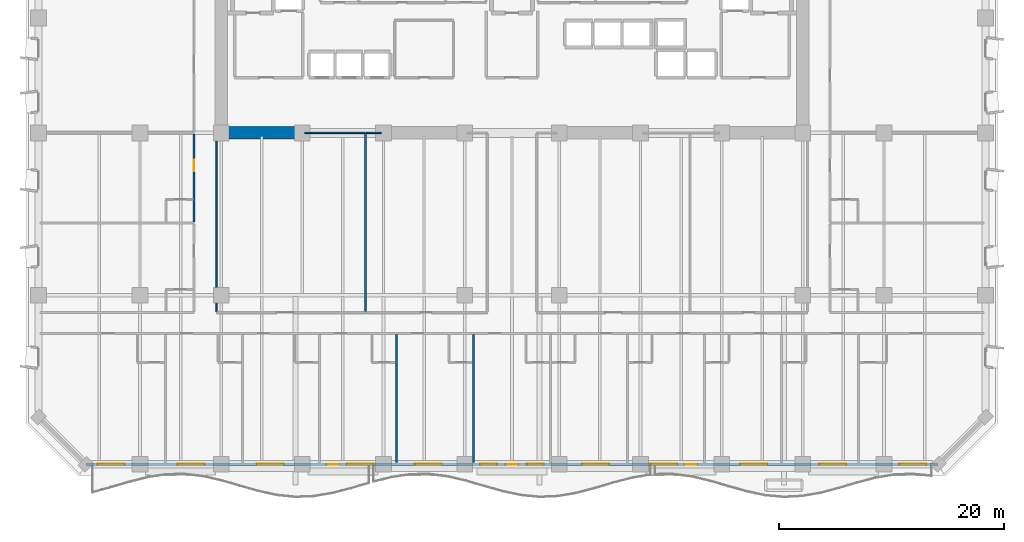
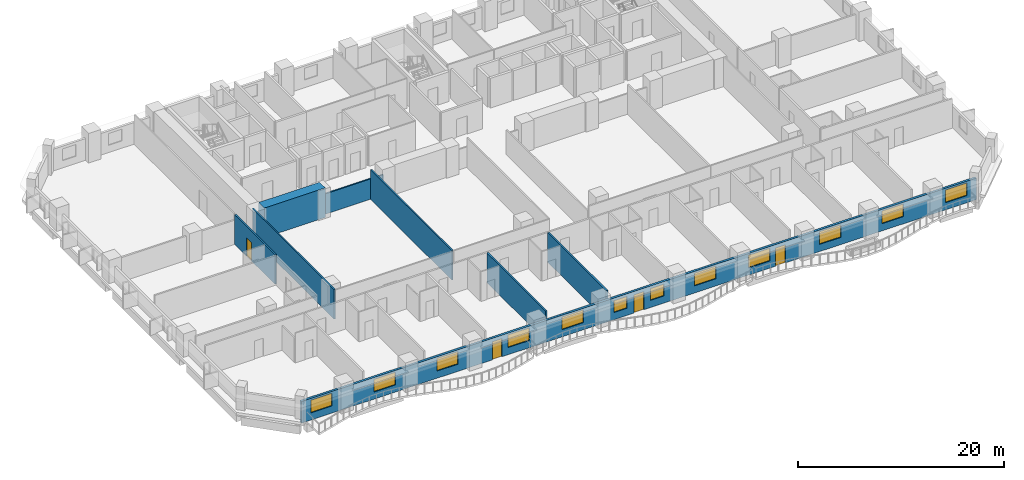
# One storey, part 5 of 15: 12 windows, 9 walls, 4 doors, 16 openings.
"""IFC4 building model written with IfcOpenShell, lengths in metres."""

import ifcopenshell
import ifcopenshell.guid

model = None  # the IFC model being written
_history = None  # IfcOwnerHistory: only IFC2X3 demands one
_inside = {}  # id of a spatial element -> (the spatial element, [elements in it])
_under = {}  # id of a project, library or spatial element -> (it, [spatial elements below it])
_declared = {}  # id of a project -> (the project, [libraries it declares])
_typed = {}  # id of a type object -> (the type object, [elements of that type])
_made_of = {}  # id of a material, layer set ... -> (it, [elements and type objects made of it])


def new_model(schema):
    """Start an empty IFC model of exactly this schema.

    Asked for "IFC4X3", IfcOpenShell would pick the latest addendum, in which some entities
    have other attributes; the version numbers below select the first issue.
    IFC2X3 requires an IfcOwnerHistory on every rooted entity: one is made here for all.
    """
    global model, _history
    if schema == "IFC4X3":
        model = ifcopenshell.file(schema_version=(4, 3, 0, 0))
    else:
        model = ifcopenshell.file(schema=schema)
    _inside.clear()
    _under.clear()
    _declared.clear()
    _typed.clear()
    _made_of.clear()
    _history = None
    if model.schema == "IFC2X3":
        org = make("IfcOrganization", Name="unknown")
        user = make(
            "IfcPersonAndOrganization",
            ThePerson=make("IfcPerson", FamilyName="unknown"),
            TheOrganization=org,
        )
        app = make(
            "IfcApplication",
            ApplicationDeveloper=org,
            Version="unknown",
            ApplicationFullName="unknown",
            ApplicationIdentifier="unknown",
        )
        _history = make(
            "IfcOwnerHistory",
            OwningUser=user,
            OwningApplication=app,
            ChangeAction="ADDED",
            CreationDate=0,
        )
    return model


def make(cls, **values):
    """One entity of the class cls with the attributes given. An attribute that is None is left unset."""
    return model.create_entity(
        cls, **{name: value for name, value in values.items() if value is not None}
    )


def rooted(cls, **values):
    """An entity with a GlobalId (a new one), such as an element, a storey or a relation."""
    return make(cls, GlobalId=ifcopenshell.guid.new(), OwnerHistory=_history, **values)


def si_unit(unit_type, name, prefix=None):
    """IfcSIUnit, for example si_unit("LENGTHUNIT", "METRE", prefix="MILLI")."""
    return make("IfcSIUnit", UnitType=unit_type, Prefix=prefix, Name=name)


def assignment(units):
    """IfcUnitAssignment: the units of a project."""
    return None if units is None else make("IfcUnitAssignment", Units=units)


def point(xyz):
    """IfcCartesianPoint."""
    return None if xyz is None else make("IfcCartesianPoint", Coordinates=xyz)


def direction(xyz):
    """IfcDirection."""
    return None if xyz is None else make("IfcDirection", DirectionRatios=xyz)


def frame(location, z_axis=None, x_axis=None):
    """IfcAxis2Placement3D, a coordinate frame: its origin and axes. An axis left out is left unset."""
    return make(
        "IfcAxis2Placement3D",
        Location=point(location),
        Axis=direction(z_axis),
        RefDirection=direction(x_axis),
    )


def frame_2d(location, x_axis=None):
    """IfcAxis2Placement2D, a coordinate frame in the plane: its origin and x axis."""
    return make(
        "IfcAxis2Placement2D", Location=point(location), RefDirection=direction(x_axis)
    )


def origin():
    """The frame at (0, 0, 0) with its axes left unset."""
    return frame((0.0, 0.0, 0.0))


def place(relative_to, where):
    """IfcLocalPlacement: puts the frame where relative to a parent placement (None: the world)."""
    return make(
        "IfcLocalPlacement", PlacementRelTo=relative_to, RelativePlacement=where
    )


def context(
    kind, dimensions, precision=None, world=None, true_north=None, identifier=None
):
    """IfcGeometricRepresentationContext, for example the 3D "Model" context."""
    return make(
        "IfcGeometricRepresentationContext",
        ContextIdentifier=identifier,
        ContextType=kind,
        CoordinateSpaceDimension=dimensions,
        Precision=precision,
        WorldCoordinateSystem=world,
        TrueNorth=true_north,
    )


def subcontext(parent, identifier, kind, view, scale=None):
    """IfcGeometricRepresentationSubContext, for example "Body" below "Model"."""
    return make(
        "IfcGeometricRepresentationSubContext",
        ContextIdentifier=identifier,
        ContextType=kind,
        ParentContext=parent,
        TargetScale=scale,
        TargetView=view,
    )


def project(units=None, contexts=None):
    """IfcProject with its units and contexts."""
    return rooted(
        "IfcProject",
        Name="project",
        RepresentationContexts=contexts,
        UnitsInContext=assignment(units),
    )


def spatial(cls, under=None, at=None, **own):
    """A site, building, storey or space (cls), placed at a placement, below another one or the project."""
    s = rooted(cls, ObjectPlacement=at, **own)
    if under is not None:
        _under.setdefault(under.id(), (under, []))[1].append(s)
    return s


def profile(cls, at=None, kind="AREA", **sizes):
    """A parametric profile (cls). Its sizes go by their IFC names, for example OverallWidth=200.0."""
    return make(cls, ProfileType=kind, Position=at, **sizes)


def rectangle(**sizes):
    """IfcRectangleProfileDef."""
    return profile("IfcRectangleProfileDef", **sizes)


def extrude(swept, where, along, depth):
    """IfcExtrudedAreaSolid: the profile swept, set in the frame where, extruded along a direction by depth."""
    return make(
        "IfcExtrudedAreaSolid",
        SweptArea=swept,
        Position=where,
        ExtrudedDirection=direction(along),
        Depth=depth,
    )


def shape(context_of_items, identifier, shape_type, items):
    """IfcShapeRepresentation: the items that make up one representation, for example the "Body"."""
    return make(
        "IfcShapeRepresentation",
        ContextOfItems=context_of_items,
        RepresentationIdentifier=identifier,
        RepresentationType=shape_type,
        Items=items,
    )


def material(Name=None, Category=None):
    """IfcMaterial."""
    return make("IfcMaterial", Name=Name, Category=Category)


def layer(
    of_material, thickness, ventilated=None, Name=None, Category=None, Priority=None
):
    """IfcMaterialLayer: one layer of a wall or slab, of a material (None: an air gap)."""
    return make(
        "IfcMaterialLayer",
        Material=of_material,
        LayerThickness=thickness,
        IsVentilated=ventilated,
        Name=Name,
        Category=Category,
        Priority=Priority,
    )


def layer_set(layers, Name=None):
    """IfcMaterialLayerSet."""
    return make("IfcMaterialLayerSet", MaterialLayers=layers, LayerSetName=Name)


def made_of(thing, what):
    """Note that an element or type object is made of a material, layer set ...; save() writes the relation."""
    if what is not None:
        _made_of.setdefault(what.id(), (what, []))[1].append(thing)
    return thing


def type_object(cls, material=None, **own):
    """A type object (cls), such as IfcWallType, which elements share."""
    return made_of(rooted(cls, **own), material)


def element(
    cls,
    number,
    at=None,
    inside=None,
    cuts=None,
    type_object=None,
    material=None,
    context=None,
    identifier="Body",
    shape_type=None,
    held_by="IfcProductDefinitionShape",
    body=None,
    shapes=None,
    **own,
):
    """One element of the class cls, such as IfcWall. Its Tag is "e" and its number.

    at: its placement. inside: the storey or other place that contains it. cuts: it is an
    opening in that element (IfcRelVoidsElement). A single representation is given by context,
    identifier, shape_type and body (its items); several are given by shapes. held_by: the class
    of the entity that holds the representations. save() writes the other relations.
    """
    e = rooted(cls, Tag="e%d" % number, ObjectPlacement=at, **own)
    if body is not None:
        shapes = [shape(context, identifier, shape_type, body)]
    if shapes is not None:
        e.Representation = make(held_by, Representations=shapes)
    if inside is not None:
        _inside.setdefault(inside.id(), (inside, []))[1].append(e)
    if cuts is not None:
        rooted(
            "IfcRelVoidsElement", RelatingBuildingElement=cuts, RelatedOpeningElement=e
        )
    if type_object is not None:
        _typed.setdefault(type_object.id(), (type_object, []))[1].append(e)
    return made_of(e, material)


def fill(opening, filler):
    """IfcRelFillsElement: the door or window that sits in an opening."""
    return rooted(
        "IfcRelFillsElement",
        RelatingOpeningElement=opening,
        RelatedBuildingElement=filler,
    )


def aggregate(whole, parts):
    """IfcRelAggregates: a whole, such as a stair, and the parts it consists of."""
    return rooted("IfcRelAggregates", RelatingObject=whole, RelatedObjects=parts)


def save(model, path):
    """Write the relations noted so far, then the file.

    IfcRelAggregates (storeys below a building ...), IfcRelContainedInSpatialStructure (elements
    in a storey), IfcRelDefinesByType, IfcRelAssociatesMaterial and IfcRelDeclares: one each for
    every whole, place, type object, material and project.
    """
    for whole, parts in _under.values():
        aggregate(whole, parts)
    for where, things in _inside.values():
        rooted(
            "IfcRelContainedInSpatialStructure",
            RelatedElements=things,
            RelatingStructure=where,
        )
    for kind, things in _typed.values():
        rooted("IfcRelDefinesByType", RelatedObjects=things, RelatingType=kind)
    for what, things in _made_of.values():
        rooted("IfcRelAssociatesMaterial", RelatedObjects=things, RelatingMaterial=what)
    for by, libraries in _declared.values():
        rooted("IfcRelDeclares", RelatingContext=by, RelatedDefinitions=libraries)
    model.write(path)


model = new_model("IFC4")

# Units and contexts
model_context = context("Model", 3, precision=1e-05, world=origin(), true_north=direction((0.0, 1.0)))
body_context = subcontext(model_context, "Body", "Model", "MODEL_VIEW")
ifc_project = project(units=[si_unit("LENGTHUNIT", "METRE"), si_unit("AREAUNIT", "SQUARE_METRE"), si_unit("VOLUMEUNIT", "CUBIC_METRE"), si_unit("PLANEANGLEUNIT", "RADIAN"), si_unit("MASSUNIT", "GRAM", prefix="KILO")], contexts=[model_context])

# Site, building, storey
site_placement = place(None, origin())
site = spatial("IfcSite", under=ifc_project, at=site_placement, CompositionType="ELEMENT")
building_placement = place(site_placement, origin())
building = spatial("IfcBuilding", under=site, at=building_placement, Name="Kaelvorn Grand Hotel", CompositionType="ELEMENT")
storey_placement = place(building_placement, frame((0.0, 0.0, 53.89990234375)))
storey = spatial("IfcBuildingStorey", under=building, at=storey_placement, Name="L11", CompositionType="ELEMENT", Elevation=53.89990234375)

# Wall
ifc_material_1 = material(Name="Concrete C80/95", Category="concrete")
ifc_layer_1 = layer(ifc_material_1, 1.10009765625)
ifc_layer_set_1 = layer_set([ifc_layer_1], Name="Concrete C80/95")
wall_type_1 = type_object("IfcWallType", Name="WL-CORE-1100-C80", PredefinedType="SHEAR", material=ifc_layer_set_1)
wall_1_placement = place(storey_placement, frame((16.7548828125, 29.39990234375, 0.0), z_axis=(0.0, 0.0, 1.0), x_axis=(1.0, 0.0, 0.0)))
element("IfcWall", 1, at=wall_1_placement, inside=storey, type_object=wall_type_1, Name="L11 Rear-Core Coupled Shear Pier S1", PredefinedType="SHEAR", context=body_context, shape_type="SweptSolid", body=[
    extrude(rectangle(XDim=6.84521484375, YDim=1.10009765625, at=frame_2d((3.422607421875, 0.0))), origin(), (0.0, 0.0, 1.0), 3.510009765625),
])

# Wall, openings, doors, windows
ifc_material_2 = material(Name="Concrete C40/50", Category="concrete")
ifc_layer_2 = layer(ifc_material_2, 0.260009765625)
ifc_layer_set_2 = layer_set([ifc_layer_2], Name="Concrete C40/50")
wall_type_2 = type_object("IfcWallType", Name="WL-EXT-260-C40", PredefinedType="SOLIDWALL", material=ifc_layer_set_2)
wall_2_placement = place(storey_placement, frame((4.199951171875, 0.0, 0.0), z_axis=(0.0, 0.0, 1.0), x_axis=(1.0, 0.0, 0.0)))
wall_2 = element("IfcWall", 2, at=wall_2_placement, inside=storey, type_object=wall_type_2, Name="L11 Exterior Architectural Concrete Wall 01", PredefinedType="SOLIDWALL", context=body_context, shape_type="SweptSolid", body=[
    extrude(rectangle(XDim=75.60009765625, YDim=0.260009765625, at=frame_2d((37.800048828125, 0.0))), origin(), (0.0, 0.0, 1.0), 2.56005859375),
])
opening_1_placement = place(wall_2_placement, frame((21.38330078125, 0.0, 0.0)))
opening_1 = element("IfcOpeningElement", 3, at=opening_1_placement, cuts=wall_2, Name="Opening DE2", PredefinedType="OPENING", context=body_context, shape_type="SweptSolid", body=[
    extrude(rectangle(XDim=1.10009765625, YDim=2.14990234375, at=frame_2d((0.550048828125, 1.074951171875))), frame((0.0, 0.14013671875, 0.0), z_axis=(0.0, -1.0, 0.0), x_axis=(1.0, 0.0, 0.0)), (0.0, 0.0, 1.0), 0.280029296875),
])
opening_2_placement = place(wall_2_placement, frame((37.25, 0.0, 0.0)))
opening_2 = element("IfcOpeningElement", 4, at=opening_2_placement, cuts=wall_2, Name="Opening DE2", PredefinedType="OPENING", context=body_context, shape_type="SweptSolid", body=[
    extrude(rectangle(XDim=1.10009765625, YDim=2.14990234375, at=frame_2d((0.550048828125, 1.074951171875))), frame((0.0, 0.14013671875, 0.0), z_axis=(0.0, -1.0, 0.0), x_axis=(1.0, 0.0, 0.0)), (0.0, 0.0, 1.0), 0.280029296875),
])
opening_3_placement = place(wall_2_placement, frame((53.11669921875, 0.0, 0.0)))
opening_3 = element("IfcOpeningElement", 5, at=opening_3_placement, cuts=wall_2, Name="Opening DE2", PredefinedType="OPENING", context=body_context, shape_type="SweptSolid", body=[
    extrude(rectangle(XDim=1.10009765625, YDim=2.14990234375, at=frame_2d((0.550048828125, 1.074951171875))), frame((0.0, 0.14013671875, 0.0), z_axis=(0.0, -1.0, 0.0), x_axis=(1.0, 0.0, 0.0)), (0.0, 0.0, 1.0), 0.280029296875),
])
opening_4_placement = place(wall_2_placement, frame((1.034912109375, 0.0, 0.85009765625)))
opening_4 = element("IfcOpeningElement", 6, at=opening_4_placement, cuts=wall_2, Name="Opening W6", PredefinedType="OPENING", context=body_context, shape_type="SweptSolid", body=[
    extrude(rectangle(XDim=2.39990234375, YDim=1.5, at=frame_2d((1.199951171875, 0.75))), frame((0.0, 0.14013671875, 0.0), z_axis=(0.0, -1.0, 0.0), x_axis=(1.0, 0.0, 0.0)), (0.0, 0.0, 1.0), 0.280029296875),
])
opening_5_placement = place(wall_2_placement, frame((8.138427734375, 0.0, 0.85009765625)))
opening_5 = element("IfcOpeningElement", 7, at=opening_5_placement, cuts=wall_2, Name="Opening W6", PredefinedType="OPENING", context=body_context, shape_type="SweptSolid", body=[
    extrude(rectangle(XDim=2.39990234375, YDim=1.5, at=frame_2d((1.199951171875, 0.75))), frame((0.0, 0.14013671875, 0.0), z_axis=(0.0, -1.0, 0.0), x_axis=(1.0, 0.0, 0.0)), (0.0, 0.0, 1.0), 0.280029296875),
])
opening_6_placement = place(wall_2_placement, frame((15.152587890625, 0.0, 0.85009765625)))
opening_6 = element("IfcOpeningElement", 8, at=opening_6_placement, cuts=wall_2, Name="Opening W6", PredefinedType="OPENING", context=body_context, shape_type="SweptSolid", body=[
    extrude(rectangle(XDim=2.39990234375, YDim=1.5, at=frame_2d((1.199951171875, 0.75))), frame((0.0, 0.14013671875, 0.0), z_axis=(0.0, -1.0, 0.0), x_axis=(1.0, 0.0, 0.0)), (0.0, 0.0, 1.0), 0.280029296875),
])
opening_7_placement = place(wall_2_placement, frame((23.126708984375, 0.0, 0.85009765625)))
opening_7 = element("IfcOpeningElement", 9, at=opening_7_placement, cuts=wall_2, Name="Opening W6", PredefinedType="OPENING", context=body_context, shape_type="SweptSolid", body=[
    extrude(rectangle(XDim=2.39990234375, YDim=1.5, at=frame_2d((1.199951171875, 0.75))), frame((0.0, 0.14013671875, 0.0), z_axis=(0.0, -1.0, 0.0), x_axis=(1.0, 0.0, 0.0)), (0.0, 0.0, 1.0), 0.280029296875),
])
opening_8_placement = place(wall_2_placement, frame((29.179443359375, 0.0, 0.85009765625)))
opening_8 = element("IfcOpeningElement", 10, at=opening_8_placement, cuts=wall_2, Name="Opening W6", PredefinedType="OPENING", context=body_context, shape_type="SweptSolid", body=[
    extrude(rectangle(XDim=2.39990234375, YDim=1.5, at=frame_2d((1.199951171875, 0.75))), frame((0.0, 0.14013671875, 0.0), z_axis=(0.0, -1.0, 0.0), x_axis=(1.0, 0.0, 0.0)), (0.0, 0.0, 1.0), 0.280029296875),
])
opening_9_placement = place(wall_2_placement, frame((34.98291015625, 0.0, 0.85009765625)))
opening_9 = element("IfcOpeningElement", 11, at=opening_9_placement, cuts=wall_2, Name="Opening W10", PredefinedType="OPENING", context=body_context, shape_type="SweptSolid", body=[
    extrude(rectangle(XDim=1.5, YDim=1.39990234375, at=frame_2d((0.75, 0.699951171875))), frame((0.0, 0.14013671875, 0.0), z_axis=(0.0, -1.0, 0.0), x_axis=(1.0, 0.0, 0.0)), (0.0, 0.0, 1.0), 0.280029296875),
])
opening_10_placement = place(wall_2_placement, frame((39.116943359375, 0.0, 0.85009765625)))
opening_10 = element("IfcOpeningElement", 12, at=opening_10_placement, cuts=wall_2, Name="Opening W10", PredefinedType="OPENING", context=body_context, shape_type="SweptSolid", body=[
    extrude(rectangle(XDim=1.5, YDim=1.39990234375, at=frame_2d((0.75, 0.699951171875))), frame((0.0, 0.14013671875, 0.0), z_axis=(0.0, -1.0, 0.0), x_axis=(1.0, 0.0, 0.0)), (0.0, 0.0, 1.0), 0.280029296875),
])
opening_11_placement = place(wall_2_placement, frame((44.0205078125, 0.0, 0.85009765625)))
opening_11 = element("IfcOpeningElement", 13, at=opening_11_placement, cuts=wall_2, Name="Opening W6", PredefinedType="OPENING", context=body_context, shape_type="SweptSolid", body=[
    extrude(rectangle(XDim=2.39990234375, YDim=1.5, at=frame_2d((1.199951171875, 0.75))), frame((0.0, 0.14013671875, 0.0), z_axis=(0.0, -1.0, 0.0), x_axis=(1.0, 0.0, 0.0)), (0.0, 0.0, 1.0), 0.280029296875),
])
opening_12_placement = place(wall_2_placement, frame((50.0732421875, 0.0, 0.85009765625)))
opening_12 = element("IfcOpeningElement", 14, at=opening_12_placement, cuts=wall_2, Name="Opening W6", PredefinedType="OPENING", context=body_context, shape_type="SweptSolid", body=[
    extrude(rectangle(XDim=2.39990234375, YDim=1.5, at=frame_2d((1.199951171875, 0.75))), frame((0.0, 0.14013671875, 0.0), z_axis=(0.0, -1.0, 0.0), x_axis=(1.0, 0.0, 0.0)), (0.0, 0.0, 1.0), 0.280029296875),
])
opening_13_placement = place(wall_2_placement, frame((58.047607421875, 0.0, 0.85009765625)))
opening_13 = element("IfcOpeningElement", 15, at=opening_13_placement, cuts=wall_2, Name="Opening W6", PredefinedType="OPENING", context=body_context, shape_type="SweptSolid", body=[
    extrude(rectangle(XDim=2.39990234375, YDim=1.5, at=frame_2d((1.199951171875, 0.75))), frame((0.0, 0.14013671875, 0.0), z_axis=(0.0, -1.0, 0.0), x_axis=(1.0, 0.0, 0.0)), (0.0, 0.0, 1.0), 0.280029296875),
])
opening_14_placement = place(wall_2_placement, frame((65.0615234375, 0.0, 0.85009765625)))
opening_14 = element("IfcOpeningElement", 16, at=opening_14_placement, cuts=wall_2, Name="Opening W6", PredefinedType="OPENING", context=body_context, shape_type="SweptSolid", body=[
    extrude(rectangle(XDim=2.39990234375, YDim=1.5, at=frame_2d((1.199951171875, 0.75))), frame((0.0, 0.14013671875, 0.0), z_axis=(0.0, -1.0, 0.0), x_axis=(1.0, 0.0, 0.0)), (0.0, 0.0, 1.0), 0.280029296875),
])
opening_15_placement = place(wall_2_placement, frame((72.1650390625, 0.0, 0.85009765625)))
opening_15 = element("IfcOpeningElement", 17, at=opening_15_placement, cuts=wall_2, Name="Opening W6", PredefinedType="OPENING", context=body_context, shape_type="SweptSolid", body=[
    extrude(rectangle(XDim=2.39990234375, YDim=1.5, at=frame_2d((1.199951171875, 0.75))), frame((0.0, 0.14013671875, 0.0), z_axis=(0.0, -1.0, 0.0), x_axis=(1.0, 0.0, 0.0)), (0.0, 0.0, 1.0), 0.280029296875),
])
ifc_material_3 = material(Name="Anodised Aluminium", Category="aluminium")
door_type_1 = type_object("IfcDoorType", Name="DR-EXT-BALC-1100x2150", OperationType="NOTDEFINED", PredefinedType="DOOR", material=ifc_material_3)
door_1_placement = place(opening_1_placement, origin())
door_1 = element("IfcDoor", 18, at=door_1_placement, inside=storey, type_object=door_type_1, Name="L11 Scalloped Balcony Glazed Door DE2-1", OperationType="SINGLE_SWING_RIGHT", OverallHeight=2.14990234375, OverallWidth=1.10009765625, PredefinedType="DOOR", context=body_context, shape_type="SweptSolid", body=[
    extrude(rectangle(XDim=1.10009765625, YDim=2.14990234375, at=frame_2d((0.550048828125, 1.074951171875))), frame((0.0, 0.02490234375, 0.0), z_axis=(0.0, -1.0, 0.0), x_axis=(1.0, 0.0, 0.0)), (0.0, 0.0, 1.0), 0.050048828125),
])
fill(opening_1, door_1)
door_2_placement = place(opening_2_placement, origin())
door_2 = element("IfcDoor", 19, at=door_2_placement, inside=storey, type_object=door_type_1, Name="L11 Scalloped Balcony Glazed Door DE2-2", OperationType="SINGLE_SWING_LEFT", OverallHeight=2.14990234375, OverallWidth=1.10009765625, PredefinedType="DOOR", context=body_context, shape_type="SweptSolid", body=[
    extrude(rectangle(XDim=1.10009765625, YDim=2.14990234375, at=frame_2d((0.550048828125, 1.074951171875))), frame((0.0, 0.02490234375, 0.0), z_axis=(0.0, -1.0, 0.0), x_axis=(1.0, 0.0, 0.0)), (0.0, 0.0, 1.0), 0.050048828125),
])
fill(opening_2, door_2)
door_3_placement = place(opening_3_placement, origin())
door_3 = element("IfcDoor", 20, at=door_3_placement, inside=storey, type_object=door_type_1, Name="L11 Scalloped Balcony Glazed Door DE2-3", OperationType="SINGLE_SWING_RIGHT", OverallHeight=2.14990234375, OverallWidth=1.10009765625, PredefinedType="DOOR", context=body_context, shape_type="SweptSolid", body=[
    extrude(rectangle(XDim=1.10009765625, YDim=2.14990234375, at=frame_2d((0.550048828125, 1.074951171875))), frame((0.0, 0.02490234375, 0.0), z_axis=(0.0, -1.0, 0.0), x_axis=(1.0, 0.0, 0.0)), (0.0, 0.0, 1.0), 0.050048828125),
])
fill(opening_3, door_3)
ifc_material_4 = material(Name="Laminated Low-E Glass", Category="glass")
window_type_1 = type_object("IfcWindowType", Name="WIN-COR-1500x1400", PartitioningType="SINGLE_PANEL", PredefinedType="WINDOW", material=ifc_material_4)
window_1_placement = place(opening_9_placement, origin())
window_1 = element("IfcWindow", 21, at=window_1_placement, inside=storey, type_object=window_type_1, Name="L11 South Guestroom Ribbon Window SR06", OverallHeight=1.39990234375, OverallWidth=1.5, PartitioningType="SINGLE_PANEL", PredefinedType="WINDOW", context=body_context, shape_type="SweptSolid", body=[
    extrude(rectangle(XDim=1.5, YDim=1.39990234375, at=frame_2d((0.75, 0.699951171875))), frame((0.0, 0.030029296875, 0.0), z_axis=(0.0, -1.0, 0.0), x_axis=(1.0, 0.0, 0.0)), (0.0, 0.0, 1.0), 0.06005859375),
])
fill(opening_9, window_1)
window_2_placement = place(opening_10_placement, origin())
window_2 = element("IfcWindow", 22, at=window_2_placement, inside=storey, type_object=window_type_1, Name="L11 South Guestroom Ribbon Window SR07", OverallHeight=1.39990234375, OverallWidth=1.5, PartitioningType="SINGLE_PANEL", PredefinedType="WINDOW", context=body_context, shape_type="SweptSolid", body=[
    extrude(rectangle(XDim=1.5, YDim=1.39990234375, at=frame_2d((0.75, 0.699951171875))), frame((0.0, 0.030029296875, 0.0), z_axis=(0.0, -1.0, 0.0), x_axis=(1.0, 0.0, 0.0)), (0.0, 0.0, 1.0), 0.06005859375),
])
fill(opening_10, window_2)
window_type_2 = type_object("IfcWindowType", Name="WIN-NTH-2400x1500", PartitioningType="SINGLE_PANEL", PredefinedType="WINDOW", material=ifc_material_4)
window_3_placement = place(opening_4_placement, origin())
window_3 = element("IfcWindow", 23, at=window_3_placement, inside=storey, type_object=window_type_2, Name="L11 South Guestroom Ribbon Window SR01", OverallHeight=1.5, OverallWidth=2.39990234375, PartitioningType="SINGLE_PANEL", PredefinedType="WINDOW", context=body_context, shape_type="SweptSolid", body=[
    extrude(rectangle(XDim=2.39990234375, YDim=1.5, at=frame_2d((1.199951171875, 0.75))), frame((0.0, 0.030029296875, 0.0), z_axis=(0.0, -1.0, 0.0), x_axis=(1.0, 0.0, 0.0)), (0.0, 0.0, 1.0), 0.06005859375),
])
fill(opening_4, window_3)
window_4_placement = place(opening_5_placement, origin())
window_4 = element("IfcWindow", 24, at=window_4_placement, inside=storey, type_object=window_type_2, Name="L11 South Guestroom Ribbon Window SR02", OverallHeight=1.5, OverallWidth=2.39990234375, PartitioningType="SINGLE_PANEL", PredefinedType="WINDOW", context=body_context, shape_type="SweptSolid", body=[
    extrude(rectangle(XDim=2.39990234375, YDim=1.5, at=frame_2d((1.199951171875, 0.75))), frame((0.0, 0.030029296875, 0.0), z_axis=(0.0, -1.0, 0.0), x_axis=(1.0, 0.0, 0.0)), (0.0, 0.0, 1.0), 0.06005859375),
])
fill(opening_5, window_4)
window_5_placement = place(opening_6_placement, origin())
window_5 = element("IfcWindow", 25, at=window_5_placement, inside=storey, type_object=window_type_2, Name="L11 South Guestroom Ribbon Window SR03", OverallHeight=1.5, OverallWidth=2.39990234375, PartitioningType="SINGLE_PANEL", PredefinedType="WINDOW", context=body_context, shape_type="SweptSolid", body=[
    extrude(rectangle(XDim=2.39990234375, YDim=1.5, at=frame_2d((1.199951171875, 0.75))), frame((0.0, 0.030029296875, 0.0), z_axis=(0.0, -1.0, 0.0), x_axis=(1.0, 0.0, 0.0)), (0.0, 0.0, 1.0), 0.06005859375),
])
fill(opening_6, window_5)
window_6_placement = place(opening_7_placement, origin())
window_6 = element("IfcWindow", 26, at=window_6_placement, inside=storey, type_object=window_type_2, Name="L11 South Guestroom Ribbon Window SR04", OverallHeight=1.5, OverallWidth=2.39990234375, PartitioningType="SINGLE_PANEL", PredefinedType="WINDOW", context=body_context, shape_type="SweptSolid", body=[
    extrude(rectangle(XDim=2.39990234375, YDim=1.5, at=frame_2d((1.199951171875, 0.75))), frame((0.0, 0.030029296875, 0.0), z_axis=(0.0, -1.0, 0.0), x_axis=(1.0, 0.0, 0.0)), (0.0, 0.0, 1.0), 0.06005859375),
])
fill(opening_7, window_6)
window_7_placement = place(opening_8_placement, origin())
window_7 = element("IfcWindow", 27, at=window_7_placement, inside=storey, type_object=window_type_2, Name="L11 South Guestroom Ribbon Window SR05", OverallHeight=1.5, OverallWidth=2.39990234375, PartitioningType="SINGLE_PANEL", PredefinedType="WINDOW", context=body_context, shape_type="SweptSolid", body=[
    extrude(rectangle(XDim=2.39990234375, YDim=1.5, at=frame_2d((1.199951171875, 0.75))), frame((0.0, 0.030029296875, 0.0), z_axis=(0.0, -1.0, 0.0), x_axis=(1.0, 0.0, 0.0)), (0.0, 0.0, 1.0), 0.06005859375),
])
fill(opening_8, window_7)
window_8_placement = place(opening_11_placement, origin())
window_8 = element("IfcWindow", 28, at=window_8_placement, inside=storey, type_object=window_type_2, Name="L11 South Guestroom Ribbon Window SR08", OverallHeight=1.5, OverallWidth=2.39990234375, PartitioningType="SINGLE_PANEL", PredefinedType="WINDOW", context=body_context, shape_type="SweptSolid", body=[
    extrude(rectangle(XDim=2.39990234375, YDim=1.5, at=frame_2d((1.199951171875, 0.75))), frame((0.0, 0.030029296875, 0.0), z_axis=(0.0, -1.0, 0.0), x_axis=(1.0, 0.0, 0.0)), (0.0, 0.0, 1.0), 0.06005859375),
])
fill(opening_11, window_8)
window_9_placement = place(opening_12_placement, origin())
window_9 = element("IfcWindow", 29, at=window_9_placement, inside=storey, type_object=window_type_2, Name="L11 South Guestroom Ribbon Window SR09", OverallHeight=1.5, OverallWidth=2.39990234375, PartitioningType="SINGLE_PANEL", PredefinedType="WINDOW", context=body_context, shape_type="SweptSolid", body=[
    extrude(rectangle(XDim=2.39990234375, YDim=1.5, at=frame_2d((1.199951171875, 0.75))), frame((0.0, 0.030029296875, 0.0), z_axis=(0.0, -1.0, 0.0), x_axis=(1.0, 0.0, 0.0)), (0.0, 0.0, 1.0), 0.06005859375),
])
fill(opening_12, window_9)
window_10_placement = place(opening_13_placement, origin())
window_10 = element("IfcWindow", 30, at=window_10_placement, inside=storey, type_object=window_type_2, Name="L11 South Guestroom Ribbon Window SR10", OverallHeight=1.5, OverallWidth=2.39990234375, PartitioningType="SINGLE_PANEL", PredefinedType="WINDOW", context=body_context, shape_type="SweptSolid", body=[
    extrude(rectangle(XDim=2.39990234375, YDim=1.5, at=frame_2d((1.199951171875, 0.75))), frame((0.0, 0.030029296875, 0.0), z_axis=(0.0, -1.0, 0.0), x_axis=(1.0, 0.0, 0.0)), (0.0, 0.0, 1.0), 0.06005859375),
])
fill(opening_13, window_10)
window_11_placement = place(opening_14_placement, origin())
window_11 = element("IfcWindow", 31, at=window_11_placement, inside=storey, type_object=window_type_2, Name="L11 South Guestroom Ribbon Window SR11", OverallHeight=1.5, OverallWidth=2.39990234375, PartitioningType="SINGLE_PANEL", PredefinedType="WINDOW", context=body_context, shape_type="SweptSolid", body=[
    extrude(rectangle(XDim=2.39990234375, YDim=1.5, at=frame_2d((1.199951171875, 0.75))), frame((0.0, 0.030029296875, 0.0), z_axis=(0.0, -1.0, 0.0), x_axis=(1.0, 0.0, 0.0)), (0.0, 0.0, 1.0), 0.06005859375),
])
fill(opening_14, window_11)
window_12_placement = place(opening_15_placement, origin())
window_12 = element("IfcWindow", 32, at=window_12_placement, inside=storey, type_object=window_type_2, Name="L11 South Guestroom Ribbon Window SR12", OverallHeight=1.5, OverallWidth=2.39990234375, PartitioningType="SINGLE_PANEL", PredefinedType="WINDOW", context=body_context, shape_type="SweptSolid", body=[
    extrude(rectangle(XDim=2.39990234375, YDim=1.5, at=frame_2d((1.199951171875, 0.75))), frame((0.0, 0.030029296875, 0.0), z_axis=(0.0, -1.0, 0.0), x_axis=(1.0, 0.0, 0.0)), (0.0, 0.0, 1.0), 0.06005859375),
])
fill(opening_15, window_12)

# Walls
ifc_material_5 = material(Name="Acoustic Gypsum & Stud Partition")
ifc_layer_3 = layer(ifc_material_5, 0.14990234375)
ifc_layer_set_3 = layer_set([ifc_layer_3], Name="Acoustic Gypsum & Stud Partition")
wall_type_3 = type_object("IfcWallType", Name="WL-PART-150-EI60", PredefinedType="PARTITIONING", material=ifc_layer_set_3)
wall_3_placement = place(storey_placement, frame((23.610107421875, 29.39990234375, 0.0), z_axis=(0.0, 0.0, 1.0), x_axis=(1.0, 0.0, 0.0)))
element("IfcWall", 33, at=wall_3_placement, inside=storey, type_object=wall_type_3, Name="L11 Reading Library Lounge N Partition", PredefinedType="PARTITIONING", context=body_context, shape_type="SweptSolid", body=[
    extrude(rectangle(XDim=5.389892578125, YDim=0.14990234375, at=frame_2d((2.69482421875, 0.0))), origin(), (0.0, 0.0, 1.0), 2.41015625),
])
wall_4_placement = place(storey_placement, frame((15.800048828125, 13.530029296875, 0.0), z_axis=(0.0, 0.0, 1.0), x_axis=(0.0, 1.0, 0.0)))
element("IfcWall", 34, at=wall_4_placement, inside=storey, type_object=wall_type_3, Name="L11 Reading Library Lounge W Partition", PredefinedType="PARTITIONING", context=body_context, shape_type="SweptSolid", body=[
    extrude(rectangle(XDim=15.85986328125, YDim=0.14990234375, at=frame_2d((7.929931640625, 0.0))), origin(), (0.0, 0.0, 1.0), 3.510009765625),
])
wall_5_placement = place(storey_placement, frame((29.0, 13.530029296875, 0.0), z_axis=(0.0, 0.0, 1.0), x_axis=(0.0, 1.0, 0.0)))
element("IfcWall", 35, at=wall_5_placement, inside=storey, type_object=wall_type_3, Name="L11 Reading Library Lounge E Partition", PredefinedType="PARTITIONING", context=body_context, shape_type="SweptSolid", body=[
    extrude(rectangle(XDim=15.7900390625, YDim=0.14990234375, at=frame_2d((7.89501953125, 0.0))), origin(), (0.0, 0.0, 1.0), 3.510009765625),
])
wall_6_placement = place(storey_placement, frame((29.080078125, 29.39990234375, 0.0), z_axis=(0.0, 0.0, 1.0), x_axis=(1.0, 0.0, 0.0)))
element("IfcWall", 36, at=wall_6_placement, inside=storey, type_object=wall_type_3, Name="L11 Chef Finishing Kitchen N Partition (1)", PredefinedType="PARTITIONING", context=body_context, shape_type="SweptSolid", body=[
    extrude(rectangle(XDim=1.309814453125, YDim=0.14990234375, at=frame_2d((0.65478515625, 0.0))), origin(), (0.0, 0.0, 1.0), 2.41015625),
])
ifc_layer_4 = layer(ifc_material_5, 0.179931640625)
ifc_layer_set_4 = layer_set([ifc_layer_4], Name="Acoustic Gypsum & Stud Partition")
wall_type_4 = type_object("IfcWallType", Name="WL-PART-180-EI60", PredefinedType="PARTITIONING", material=ifc_layer_set_4)
for number, where, z_axis, x_axis, name in (
    (37, (31.759033203125, 0.14990234375, 0.0), (0.0, 0.0, 1.0), (0.0, 1.0, 0.0), "L11 Deluxe Panoramic Suite L11-04 E Partition"),
    (38, (38.58642578125, 0.14990234375, 0.0), (0.0, 0.0, 1.0), (0.0, 1.0, 0.0), "L11 Deluxe Panoramic Suite L11-05 E Partition"),
):
    element("IfcWall", number, at=place(storey_placement, frame(where, z_axis=z_axis, x_axis=x_axis)), inside=storey, type_object=wall_type_4, Name=name, PredefinedType="PARTITIONING", context=body_context, shape_type="SweptSolid", body=[
        extrude(rectangle(XDim=11.35498046875, YDim=0.179931640625, at=frame_2d((5.677490234375, 0.0))), origin(), (0.0, 0.0, 1.0), 3.510009765625),
    ])

# Wall, opening, door
wall_7_placement = place(storey_placement, frame((13.800048828125, 21.514892578125, 0.0), z_axis=(0.0, 0.0, 1.0), x_axis=(0.0, 1.0, 0.0)))
wall_7 = element("IfcWall", 39, at=wall_7_placement, inside=storey, type_object=wall_type_4, Name="L11 West Mid-Wing Suite L11-13 E Partition", PredefinedType="PARTITIONING", context=body_context, shape_type="SweptSolid", body=[
    extrude(rectangle(XDim=7.7900390625, YDim=0.179931640625, at=frame_2d((3.89501953125, 0.0))), origin(), (0.0, 0.0, 1.0), 3.510009765625),
])
opening_16_placement = place(wall_7_placement, frame((4.489990234375, 0.0, 0.0)))
opening_16 = element("IfcOpeningElement", 40, at=opening_16_placement, cuts=wall_7, Name="Opening DI3", PredefinedType="OPENING", context=body_context, shape_type="SweptSolid", body=[
    extrude(rectangle(XDim=1.0, YDim=2.14990234375, at=frame_2d((0.5, 1.074951171875))), frame((0.0, 0.10009765625, 0.0), z_axis=(0.0, -1.0, 0.0), x_axis=(1.0, 0.0, 0.0)), (0.0, 0.0, 1.0), 0.199951171875),
])
ifc_material_6 = material(Name="Timber Veneer Fire Leaf", Category="wood")
door_type_2 = type_object("IfcDoorType", Name="DR-INT-GUEST-1000x2150", OperationType="NOTDEFINED", PredefinedType="DOOR", material=ifc_material_6)
door_4_placement = place(opening_16_placement, origin())
door_4 = element("IfcDoor", 41, at=door_4_placement, inside=storey, type_object=door_type_2, Name="L11 West Mid-Wing Suite L11-13 Door", OperationType="SINGLE_SWING_LEFT", OverallHeight=2.14990234375, OverallWidth=1.0, PredefinedType="DOOR", context=body_context, shape_type="SweptSolid", body=[
    extrude(rectangle(XDim=1.0, YDim=2.14990234375, at=frame_2d((0.5, 1.074951171875))), frame((0.0, 0.02490234375, 0.0), z_axis=(0.0, -1.0, 0.0), x_axis=(1.0, 0.0, 0.0)), (0.0, 0.0, 1.0), 0.050048828125),
])
fill(opening_16, door_4)

save(model, "model.ifc")
